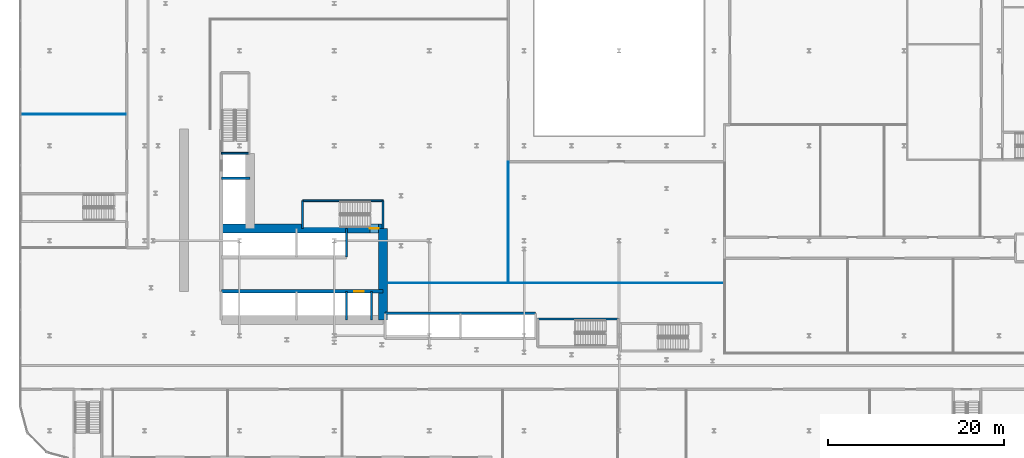
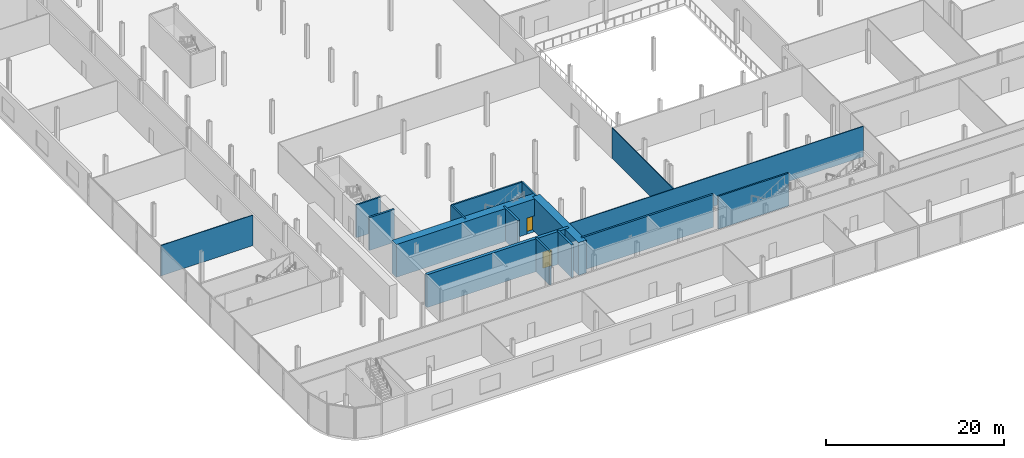
# One storey, part 29 of 47: 16 walls, 2 doors, 2 openings.
"""IFC4 building model written with IfcOpenShell, lengths in metres."""

from ifc_helpers import new_model, si_unit, direction, frame, frame_2d, origin, place, context, subcontext, project, spatial, rectangle, extrude, source, transform, mapped, material, layer, layer_set, type_object, element, fill, save


model = new_model("IFC4")

# Units and contexts
model_context = context("Model", 3, precision=1e-05, world=origin(), true_north=direction((0.0, 1.0)))
body_context = subcontext(model_context, "Body", "Model", "MODEL_VIEW")
ifc_project = project(units=[si_unit("LENGTHUNIT", "METRE"), si_unit("AREAUNIT", "SQUARE_METRE"), si_unit("VOLUMEUNIT", "CUBIC_METRE"), si_unit("PLANEANGLEUNIT", "RADIAN"), si_unit("MASSUNIT", "GRAM", prefix="KILO")], contexts=[model_context])

# Site, building, storey
site_placement = place(None, origin())
site = spatial("IfcSite", under=ifc_project, at=site_placement, CompositionType="ELEMENT")
building_placement = place(site_placement, origin())
building = spatial("IfcBuilding", under=site, at=building_placement, Name="Kheshtan School and Residences Tower", CompositionType="ELEMENT")
storey_placement = place(building_placement, frame((0.0, 0.0, 17.0)))
storey = spatial("IfcBuildingStorey", under=building, at=storey_placement, Name="L03", CompositionType="ELEMENT", Elevation=17.0)

# Wall, opening, door
ifc_material_1 = material(Name="Concrete C80/95", Category="concrete")
ifc_layer_1 = layer(ifc_material_1, 1.0)
ifc_layer_set_1 = layer_set([ifc_layer_1], Name="Core wall 1000 Concrete C80/95")
wall_type_1 = type_object("IfcWallType", Name="Core wall 1000 Concrete C80/95", PredefinedType="SHEAR", material=ifc_layer_set_1)
wall_1_placement = place(storey_placement, frame((34.75, 36.199951171875, 0.0), z_axis=(0.0, 0.0, 1.0), x_axis=(1.0, 0.0, 0.0)))
wall_1 = element("IfcWall", 1, at=wall_1_placement, inside=storey, type_object=wall_type_1, Name="Core wall CW-FRONT-S", PredefinedType="SHEAR", context=body_context, shape_type="SweptSolid", body=[
    extrude(rectangle(XDim=18.39990234375, YDim=1.0, at=frame_2d((9.199951171875, 0.0))), origin(), (0.0, 0.0, 1.0), 4.5),
])
opening_1_placement = place(wall_1_placement, frame((16.89990234375, 0.0, 0.0)))
opening_1 = element("IfcOpeningElement", 2, at=opening_1_placement, cuts=wall_1, Name="Opening ST1D", PredefinedType="OPENING", context=body_context, shape_type="SweptSolid", body=[
    extrude(rectangle(XDim=1.0, YDim=2.199951171875, at=frame_2d((0.5, 1.10009765625))), frame((0.0, 0.510009765625, 0.0), z_axis=(0.0, -1.0, 0.0), x_axis=(1.0, 0.0, 0.0)), (0.0, 0.0, 1.0), 1.02001953125),
])
ifc_material_2 = material(Name="Steel door leaf, galvanised", Category="steel")
door_type_1 = type_object("IfcDoorType", Name="Stair door 1100 steel 90 min", OperationType="SINGLE_SWING_LEFT", PredefinedType="DOOR", material=ifc_material_2)
shared_shape_1 = source(origin(), body_context, "Body", "SweptSolid", [
    extrude(rectangle(XDim=1.0, YDim=2.199951171875, at=frame_2d((0.5, 1.10009765625))), frame((0.0, 0.02490234375, 0.0), z_axis=(0.0, -1.0, 0.0), x_axis=(1.0, 0.0, 0.0)), (0.0, 0.0, 1.0), 0.050048828125),
])
door_1_placement = place(opening_1_placement, origin())
door_1 = element("IfcDoor", 3, at=door_1_placement, inside=storey, type_object=door_type_1, Name="Stair ST1 door", OperationType="SINGLE_SWING_RIGHT", OverallHeight=2.199951171875, OverallWidth=1.0, PredefinedType="DOOR", context=body_context, shape_type="MappedRepresentation", body=[
    mapped(shared_shape_1, transform((0.0, 0.0, 0.0), x_axis=(1.0, 0.0, 0.0), y_axis=(0.0, 1.0, 0.0), z_axis=(0.0, 0.0, 1.0), scale=1.0)),
])
fill(opening_1, door_1)

# Wall
wall_2_placement = place(storey_placement, frame((53.14990234375, 25.800048828125, 0.0), z_axis=(0.0, 0.0, 1.0), x_axis=(0.0, 1.0, 0.0)))
element("IfcWall", 4, at=wall_2_placement, inside=storey, type_object=wall_type_1, Name="Core wall CW-EAST", PredefinedType="SHEAR", context=body_context, shape_type="SweptSolid", body=[
    extrude(rectangle(XDim=10.39990234375, YDim=1.0, at=frame_2d((5.199951171875, 0.0))), origin(), (0.0, 0.0, 1.0), 4.5),
])

# Wall, opening, door
ifc_material_3 = material(Name="Concrete C50/60", Category="concrete")
ifc_layer_2 = layer(ifc_material_3, 0.39990234375)
ifc_layer_set_2 = layer_set([ifc_layer_2], Name="Core wall 400 Concrete C50/60")
wall_type_2 = type_object("IfcWallType", Name="Core wall 400 Concrete C50/60", PredefinedType="SHEAR", material=ifc_layer_set_2)
wall_3_placement = place(storey_placement, frame((34.75, 29.050048828125, 0.0), z_axis=(0.0, 0.0, 1.0), x_axis=(1.0, 0.0, 0.0)))
wall_3 = element("IfcWall", 5, at=wall_3_placement, inside=storey, type_object=wall_type_2, Name="Core wall CW-HALL-S1", PredefinedType="SHEAR", context=body_context, shape_type="SweptSolid", body=[
    extrude(rectangle(XDim=18.39990234375, YDim=0.39990234375, at=frame_2d((9.199951171875, 0.0))), origin(), (0.0, 0.0, 1.0), 4.5),
])
opening_2_placement = place(wall_3_placement, frame((15.125, 0.0, 0.0)))
opening_2 = element("IfcOpeningElement", 6, at=opening_2_placement, cuts=wall_3, Name="Opening LD", PredefinedType="OPENING", context=body_context, shape_type="SweptSolid", body=[
    extrude(rectangle(XDim=1.10009765625, YDim=2.199951171875, at=frame_2d((0.550048828125, 1.10009765625))), frame((0.0, 0.2099609375, 0.0), z_axis=(0.0, -1.0, 0.0), x_axis=(1.0, 0.0, 0.0)), (0.0, 0.0, 1.0), 0.419921875),
])
ifc_material_4 = material(Name="Stainless steel door leaves", Category="steel")
door_type_2 = type_object("IfcDoorType", Name="Lift landing door 1100", OperationType="SLIDING_TO_LEFT", PredefinedType="DOOR", material=ifc_material_4)
shared_shape_2 = source(origin(), body_context, "Body", "SweptSolid", [
    extrude(rectangle(XDim=1.10009765625, YDim=2.199951171875, at=frame_2d((0.550048828125, 1.10009765625))), frame((0.0, 0.02490234375, 0.0), z_axis=(0.0, -1.0, 0.0), x_axis=(1.0, 0.0, 0.0)), (0.0, 0.0, 1.0), 0.050048828125),
])
door_2_placement = place(opening_2_placement, origin())
door_2 = element("IfcDoor", 7, at=door_2_placement, inside=storey, type_object=door_type_2, Name="Lift FFL2 landing door", OperationType="SLIDING_TO_LEFT", OverallHeight=2.199951171875, OverallWidth=1.10009765625, PredefinedType="DOOR", context=body_context, shape_type="MappedRepresentation", body=[
    mapped(shared_shape_2, transform((0.0, 0.0, 0.0), x_axis=(1.0, 0.0, 0.0), y_axis=(0.0, 1.0, 0.0), z_axis=(0.0, 0.0, 1.0), scale=1.0)),
])
fill(opening_2, door_2)

# Walls
ifc_material_5 = material(Name="Gypsum board on steel studs", Category="steel")
ifc_layer_3 = layer(ifc_material_5, 0.10009765625)
ifc_layer_set_3 = layer_set([ifc_layer_3], Name="Gypsum partition 100")
wall_type_3 = type_object("IfcWallType", Name="Gypsum partition 100", PredefinedType="PARTITIONING", material=ifc_layer_set_3)
wall_4_placement = place(storey_placement, frame((12.0, 49.199951171875, 0.0), z_axis=(0.0, 0.0, 1.0), x_axis=(1.0, 0.0, 0.0)))
element("IfcWall", 8, at=wall_4_placement, inside=storey, type_object=wall_type_3, Name="Partition L03-004", PredefinedType="PARTITIONING", context=body_context, shape_type="SweptSolid", body=[
    extrude(rectangle(XDim=11.89990234375, YDim=0.10009765625, at=frame_2d((5.949951171875, 0.0))), origin(), (0.0, 0.0, 1.0), 4.179931640625),
])
wall_5_placement = place(storey_placement, frame((53.64892578125, 30.0, 0.0), z_axis=(0.0, 0.0, 1.0), x_axis=(1.0, 0.0, 0.0)))
element("IfcWall", 9, at=wall_5_placement, inside=storey, type_object=wall_type_3, Name="Partition L03-019", PredefinedType="PARTITIONING", context=body_context, shape_type="SweptSolid", body=[
    extrude(rectangle(XDim=38.301025390625, YDim=0.10009765625, at=frame_2d((19.150390625, 0.0))), origin(), (0.0, 0.0, 1.0), 4.179931640625),
])
wall_6_placement = place(storey_placement, frame((67.39990234375, 30.050048828125, 0.0), z_axis=(0.0, 0.0, 1.0), x_axis=(0.0, 1.0, 0.0)))
element("IfcWall", 10, at=wall_6_placement, inside=storey, type_object=wall_type_3, Name="Partition L03-029", PredefinedType="PARTITIONING", context=body_context, shape_type="SweptSolid", body=[
    extrude(rectangle(XDim=13.75, YDim=0.10009765625, at=frame_2d((6.875, 0.0))), origin(), (0.0, 0.0, 1.0), 4.179931640625),
])
ifc_material_6 = material(Name="Fire-board shaft wall system")
ifc_layer_4 = layer(ifc_material_6, 0.25)
ifc_layer_set_4 = layer_set([ifc_layer_4], Name="Shaft lining wall 250")
wall_type_4 = type_object("IfcWallType", Name="Shaft lining wall 250", PredefinedType="PARTITIONING", material=ifc_layer_set_4)
for number, where, z_axis, x_axis, name in (
    (11, (49.0, 25.800048828125, 0.0), (0.0, 0.0, 1.0), (0.0, 1.0, 0.0), "Shaft lining wall"),
    (12, (49.0, 32.949951171875, 0.0), (0.0, 0.0, 1.0), (0.0, 1.0, 0.0), "Shaft lining wall"),
    (13, (51.85009765625, 25.800048828125, 0.0), (0.0, 0.0, 1.0), (0.0, 1.0, 0.0), "Shaft lining wall"),
):
    element("IfcWall", number, at=place(storey_placement, frame(where, z_axis=z_axis, x_axis=x_axis)), inside=storey, type_object=wall_type_4, Name=name, PredefinedType="PARTITIONING", context=body_context, shape_type="SweptSolid", body=[
        extrude(rectangle(XDim=3.25, YDim=0.25, at=frame_2d((1.625, 0.0))), origin(), (0.0, 0.0, 1.0), 4.5),
    ])
wall_7_placement = place(storey_placement, frame((53.39990234375, 26.550048828125, 0.0), z_axis=(0.0, 0.0, 1.0), x_axis=(1.0, 0.0, 0.0)))
element("IfcWall", 14, at=wall_7_placement, inside=storey, type_object=wall_type_4, Name="Shaft lining wall", PredefinedType="PARTITIONING", context=body_context, shape_type="SweptSolid", body=[
    extrude(rectangle(XDim=17.10009765625, YDim=0.25, at=frame_2d((8.550048828125, 0.0))), origin(), (0.0, 0.0, 1.0), 4.5),
])
wall_8_placement = place(storey_placement, frame((34.75, 41.89990234375, 0.0), z_axis=(0.0, 0.0, 1.0), x_axis=(1.0, 0.0, 0.0)))
element("IfcWall", 15, at=wall_8_placement, inside=storey, type_object=wall_type_4, Name="Shaft lining wall", PredefinedType="PARTITIONING", context=body_context, shape_type="SweptSolid", body=[
    extrude(rectangle(XDim=3.25, YDim=0.25, at=frame_2d((1.625, 0.0))), origin(), (0.0, 0.0, 1.0), 4.5),
])
ifc_material_7 = material(Name="Concrete C40/50", Category="concrete")
ifc_layer_5 = layer(ifc_material_7, 0.199951171875)
ifc_layer_set_5 = layer_set([ifc_layer_5], Name="Stair enclosure wall 200 Concrete C40/50")
wall_type_5 = type_object("IfcWallType", Name="Stair enclosure wall 200 Concrete C40/50", PredefinedType="SHEAR", material=ifc_layer_set_5)
wall_9_placement = place(storey_placement, frame((43.989990234375, 39.35009765625, 0.0), z_axis=(0.0, 0.0, 1.0), x_axis=(1.0, 0.0, 0.0)))
element("IfcWall", 16, at=wall_9_placement, inside=storey, type_object=wall_type_5, Name="Stair enclosure wall ST1", PredefinedType="SHEAR", context=body_context, shape_type="SweptSolid", body=[
    extrude(rectangle(XDim=9.159912109375, YDim=0.199951171875, at=frame_2d((4.580078125, 0.0))), origin(), (0.0, 0.0, 1.0), 4.5),
])
for number, where, z_axis, x_axis, name in (
    (17, (43.989990234375, 36.199951171875, 0.0), (0.0, 0.0, 1.0), (0.0, 1.0, 0.0), "Stair enclosure wall ST1"),
    (18, (53.14990234375, 36.199951171875, 0.0), (0.0, 0.0, 1.0), (0.0, 1.0, 0.0), "Stair enclosure wall ST1"),
):
    element("IfcWall", number, at=place(storey_placement, frame(where, z_axis=z_axis, x_axis=x_axis)), inside=storey, type_object=wall_type_5, Name=name, PredefinedType="SHEAR", context=body_context, shape_type="SweptSolid", body=[
        extrude(rectangle(XDim=3.150146484375, YDim=0.199951171875, at=frame_2d((1.5751953125, 0.0))), origin(), (0.0, 0.0, 1.0), 4.5),
    ])
wall_10_placement = place(storey_placement, frame((34.75, 44.75, 0.0), z_axis=(0.0, 0.0, 1.0), x_axis=(1.0, 0.0, 0.0)))
element("IfcWall", 19, at=wall_10_placement, inside=storey, type_object=wall_type_5, Name="Stair enclosure wall ST2", PredefinedType="SHEAR", context=body_context, shape_type="SweptSolid", body=[
    extrude(rectangle(XDim=3.14990234375, YDim=0.199951171875, at=frame_2d((1.574951171875, 0.0))), origin(), (0.0, 0.0, 1.0), 4.5),
])
wall_11_placement = place(storey_placement, frame((70.75, 25.89990234375, 0.0), z_axis=(0.0, 0.0, 1.0), x_axis=(1.0, 0.0, 0.0)))
element("IfcWall", 20, at=wall_11_placement, inside=storey, type_object=wall_type_5, Name="Stair enclosure wall ST5", PredefinedType="SHEAR", context=body_context, shape_type="SweptSolid", body=[
    extrude(rectangle(XDim=9.159912109375, YDim=0.199951171875, at=frame_2d((4.580078125, 0.0))), origin(), (0.0, 0.0, 1.0), 4.5),
])

save(model, "model.ifc")
